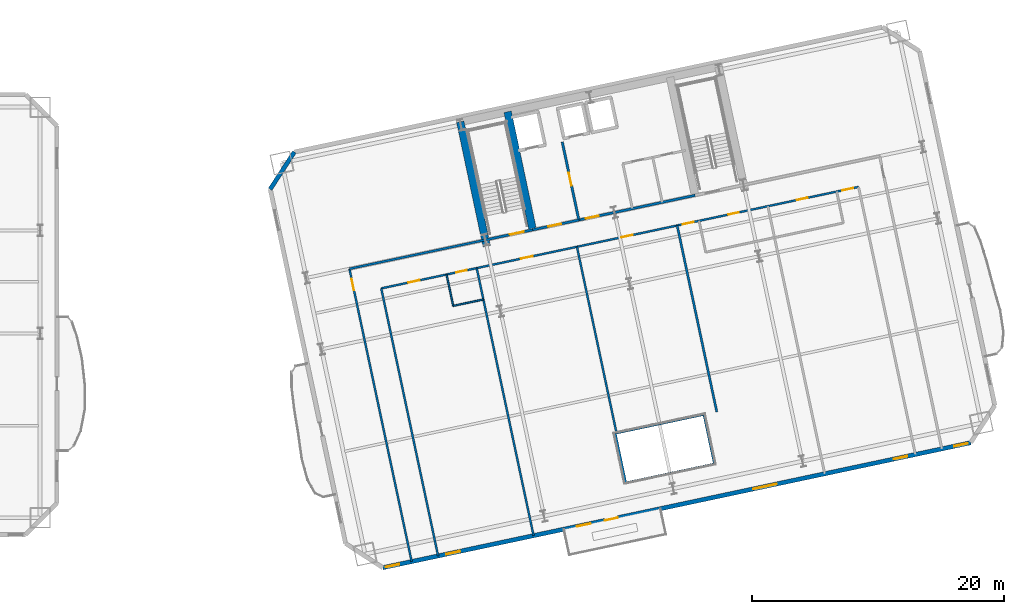
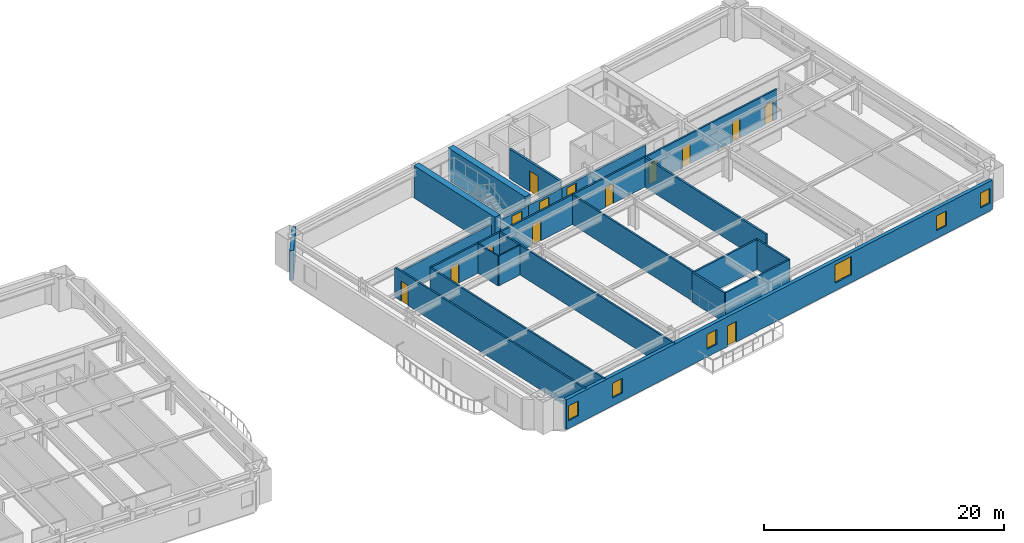
# One storey, part 8 of 17: 21 walls, 14 doors, 6 windows, 20 openings.
"""IFC4 building model written with IfcOpenShell, lengths in metres."""

from ifc_helpers import new_model, si_unit, direction, frame, frame_2d, origin, place, context, subcontext, project, spatial, rectangle, extrude, material, layer, layer_set, type_object, element, fill, save


model = new_model("IFC4")

# Units and contexts
model_context = context("Model", 3, precision=1e-05, world=origin(), true_north=direction((0.0, 1.0)))
body_context = subcontext(model_context, "Body", "Model", "MODEL_VIEW")
ifc_project = project(units=[si_unit("LENGTHUNIT", "METRE"), si_unit("AREAUNIT", "SQUARE_METRE"), si_unit("VOLUMEUNIT", "CUBIC_METRE"), si_unit("PLANEANGLEUNIT", "RADIAN"), si_unit("MASSUNIT", "GRAM", prefix="KILO")], contexts=[model_context])

# Site, building, storey
site_placement = place(None, origin())
site = spatial("IfcSite", under=ifc_project, at=site_placement, CompositionType="ELEMENT")
building_placement = place(site_placement, origin())
building = spatial("IfcBuilding", under=site, at=building_placement, Name="Haevon Station Towers", CompositionType="ELEMENT")
storey_placement = place(building_placement, frame((0.0, 0.0, 33.89990234375)))
storey = spatial("IfcBuildingStorey", under=building, at=storey_placement, Name="L07", CompositionType="ELEMENT", Elevation=33.89990234375)

# Walls
ifc_material_1 = material(Name="Gypsum board on steel stud", Category="steel")
ifc_layer_1 = layer(ifc_material_1, 0.179931640625)
ifc_layer_set_1 = layer_set([ifc_layer_1], Name="Gypsum board on steel stud")
wall_type_1 = type_object("IfcWallType", Name="WL-ACU180", PredefinedType="PARTITIONING", material=ifc_layer_set_1)
wall_1_placement = place(storey_placement, frame((87.94384765625, 35.14501953125, 0.0), z_axis=(0.0, 0.0, 1.0), x_axis=(0.978148967098, 0.207905262477, 0.0)))
element("IfcWall", 1, at=wall_1_placement, inside=storey, type_object=wall_type_1, Name="WL-T2PT-L07-03", PredefinedType="PARTITIONING", context=body_context, shape_type="SweptSolid", body=[
    extrude(rectangle(XDim=11.050048828125, YDim=0.179931640625, at=frame_2d((5.52490234375, 0.0))), origin(), (0.0, 0.0, 1.0), 2.330078125),
])
wall_2_placement = place(storey_placement, frame((109.9091796875, 18.140380859375, 0.0), z_axis=(0.0, 0.0, 1.0), x_axis=(-0.207886494942, 0.978152955943, 0.0)))
element("IfcWall", 2, at=wall_2_placement, inside=storey, type_object=wall_type_1, Name="WL-T2PT-L07-09", PredefinedType="PARTITIONING", context=body_context, shape_type="SweptSolid", body=[
    extrude(rectangle(XDim=4.0, YDim=0.179931640625, at=frame_2d((2.0, 0.0))), origin(), (0.0, 0.0, 1.0), 3.030029296875),
])
wall_3_placement = place(storey_placement, frame((117.1533203125, 23.769287109375, 0.0), z_axis=(0.0, 0.0, 1.0), x_axis=(-0.207912142001, 0.978147504832, 0.0)))
element("IfcWall", 3, at=wall_3_placement, inside=storey, type_object=wall_type_1, Name="WL-T2PT-L07-15", PredefinedType="PARTITIONING", context=body_context, shape_type="SweptSolid", body=[
    extrude(rectangle(XDim=15.150146484375, YDim=0.179931640625, at=frame_2d((7.5751953125, 0.0))), origin(), (0.0, 0.0, 1.0), 3.030029296875),
])

# Wall, opening, door
ifc_layer_2 = layer(ifc_material_1, 0.199951171875)
ifc_layer_set_2 = layer_set([ifc_layer_2], Name="Gypsum board on steel stud")
wall_type_2 = type_object("IfcWallType", Name="WL-COR200", PredefinedType="PARTITIONING", material=ifc_layer_set_2)
wall_4_placement = place(storey_placement, frame((98.75244140625, 37.4423828125, 0.0), z_axis=(0.0, 0.0, 1.0), x_axis=(0.978143537786, 0.207930804564, 0.0)))
wall_4 = element("IfcWall", 4, at=wall_4_placement, inside=storey, type_object=wall_type_2, Name="WL-ST-ST3-L07", PredefinedType="PARTITIONING", context=body_context, shape_type="SweptSolid", body=[
    extrude(rectangle(XDim=3.85009765625, YDim=0.199951171875, at=frame_2d((1.925048828125, 0.0))), origin(), (0.0, 0.0, 1.0), 2.330078125),
])
opening_1_placement = place(wall_4_placement, frame((2.0, 0.0, 0.0)))
opening_1 = element("IfcOpeningElement", 5, at=opening_1_placement, cuts=wall_4, Name="Opening DR-ST-ST3-L07", PredefinedType="OPENING", context=body_context, shape_type="SweptSolid", body=[
    extrude(rectangle(XDim=1.1201171875, YDim=2.10009765625, at=frame_2d((0.56005859375, 1.050048828125))), frame((0.0, 0.10986328125, 0.0), z_axis=(0.0, -1.0, 0.0), x_axis=(1.0, 0.0, 0.0)), (0.0, 0.0, 1.0), 0.219970703125),
])
ifc_material_2 = material(Name="Engineered oak timber", Category="wood")
door_type_1 = type_object("IfcDoorType", Name="DR-ST-1120", OperationType="NOTDEFINED", PredefinedType="DOOR", material=ifc_material_2)
door_1_placement = place(opening_1_placement, origin())
door_1 = element("IfcDoor", 6, at=door_1_placement, inside=storey, type_object=door_type_1, Name="L07 Escape Stair ST3 Fire Door", OperationType="SINGLE_SWING_RIGHT", OverallHeight=2.10009765625, OverallWidth=1.1201171875, PredefinedType="DOOR", context=body_context, shape_type="SweptSolid", body=[
    extrude(rectangle(XDim=1.1201171875, YDim=2.10009765625, at=frame_2d((0.56005859375, 1.050048828125))), frame((0.0, 0.02490234375, 0.0), z_axis=(0.0, -1.0, 0.0), x_axis=(1.0, 0.0, 0.0)), (0.0, 0.0, 1.0), 0.050048828125),
])
fill(opening_1, door_1)

wall_5_placement = place(storey_placement, frame((106.186279296875, 39.0224609375, 0.0), z_axis=(0.0, 0.0, 1.0), x_axis=(-0.207916691923, 0.978146537703, 0.0)))
wall_5 = element("IfcWall", 7, at=wall_5_placement, inside=storey, type_object=wall_type_2, Name="WL-T2FFL-L07-E", PredefinedType="PARTITIONING", context=body_context, shape_type="SweptSolid", body=[
    extrude(rectangle(XDim=6.35009765625, YDim=0.199951171875, at=frame_2d((3.175048828125, 0.0))), origin(), (0.0, 0.0, 1.0), 3.030029296875),
])
opening_2_placement = place(wall_5_placement, frame((2.800048828125, 0.0, 0.0)))
opening_2 = element("IfcOpeningElement", 8, at=opening_2_placement, cuts=wall_5, Name="Opening DR-T2FFL-L07-E", PredefinedType="OPENING", context=body_context, shape_type="SweptSolid", body=[
    extrude(rectangle(XDim=1.050048828125, YDim=2.10009765625, at=frame_2d((0.52490234375, 1.050048828125))), frame((0.0, 0.10986328125, 0.0), z_axis=(0.0, -1.0, 0.0), x_axis=(1.0, 0.0, 0.0)), (0.0, 0.0, 1.0), 0.219970703125),
])
door_type_2 = type_object("IfcDoorType", Name="DR-FD60-1050", OperationType="NOTDEFINED", PredefinedType="DOOR", material=ifc_material_2)
door_2_placement = place(opening_2_placement, origin())
door_2 = element("IfcDoor", 9, at=door_2_placement, inside=storey, type_object=door_type_2, Name="L07 Tower 2 Firefighting Lift Lobby Door E", OperationType="SINGLE_SWING_RIGHT", OverallHeight=2.10009765625, OverallWidth=1.050048828125, PredefinedType="DOOR", context=body_context, shape_type="SweptSolid", body=[
    extrude(rectangle(XDim=1.050048828125, YDim=2.10009765625, at=frame_2d((0.52490234375, 1.050048828125))), frame((0.0, 0.02490234375, 0.0), z_axis=(0.0, -1.0, 0.0), x_axis=(1.0, 0.0, 0.0)), (0.0, 0.0, 1.0), 0.050048828125),
])
fill(opening_2, door_2)

wall_6_placement = place(storey_placement, frame((102.518310546875, 38.242919921875, 0.0), z_axis=(0.0, 0.0, 1.0), x_axis=(0.978153555683, 0.20788367301, 0.0)))
wall_6 = element("IfcWall", 10, at=wall_6_placement, inside=storey, type_object=wall_type_2, Name="WL-T2FFL-L07-S", PredefinedType="PARTITIONING", context=body_context, shape_type="SweptSolid", body=[
    extrude(rectangle(XDim=3.75, YDim=0.199951171875, at=frame_2d((1.875, 0.0))), origin(), (0.0, 0.0, 1.0), 2.330078125),
])
opening_3_placement = place(wall_6_placement, frame((1.25, 0.0, 0.0)))
opening_3 = element("IfcOpeningElement", 11, at=opening_3_placement, cuts=wall_6, Name="Opening DR-T2FFL-L07-S", PredefinedType="OPENING", context=body_context, shape_type="SweptSolid", body=[
    extrude(rectangle(XDim=1.050048828125, YDim=2.10009765625, at=frame_2d((0.52490234375, 1.050048828125))), frame((0.0, 0.10986328125, 0.0), z_axis=(0.0, -1.0, 0.0), x_axis=(1.0, 0.0, 0.0)), (0.0, 0.0, 1.0), 0.219970703125),
])
door_3_placement = place(opening_3_placement, origin())
door_3 = element("IfcDoor", 12, at=door_3_placement, inside=storey, type_object=door_type_2, Name="L07 Tower 2 Firefighting Lift Lobby Door S", OperationType="SINGLE_SWING_LEFT", OverallHeight=2.10009765625, OverallWidth=1.050048828125, PredefinedType="DOOR", context=body_context, shape_type="SweptSolid", body=[
    extrude(rectangle(XDim=1.050048828125, YDim=2.10009765625, at=frame_2d((0.52490234375, 1.050048828125))), frame((0.0, 0.02490234375, 0.0), z_axis=(0.0, -1.0, 0.0), x_axis=(1.0, 0.0, 0.0)), (0.0, 0.0, 1.0), 0.050048828125),
])
fill(opening_3, door_3)

wall_7_placement = place(storey_placement, frame((106.186279296875, 39.0224609375, 0.0), z_axis=(0.0, 0.0, 1.0), x_axis=(0.978145519981, 0.20792147975, 0.0)))
wall_7 = element("IfcWall", 13, at=wall_7_placement, inside=storey, type_object=wall_type_2, Name="WL-T2CLB-L07", PredefinedType="PARTITIONING", context=body_context, shape_type="SweptSolid", body=[
    extrude(rectangle(XDim=9.449951171875, YDim=0.199951171875, at=frame_2d((4.72509765625, 0.0))), origin(), (0.0, 0.0, 1.0), 2.330078125),
])
opening_4_placement = place(wall_7_placement, frame((0.550048828125, 0.0, 0.0)))
opening_4 = element("IfcOpeningElement", 14, at=opening_4_placement, cuts=wall_7, Name="Opening DR-T2CLB-L07-1", PredefinedType="OPENING", context=body_context, shape_type="SweptSolid", body=[
    extrude(rectangle(XDim=1.050048828125, YDim=2.10009765625, at=frame_2d((0.52490234375, 1.050048828125))), frame((0.0, 0.10986328125, 0.0), z_axis=(0.0, -1.0, 0.0), x_axis=(1.0, 0.0, 0.0)), (0.0, 0.0, 1.0), 0.219970703125),
])
door_4_placement = place(opening_4_placement, origin())
door_4 = element("IfcDoor", 15, at=door_4_placement, inside=storey, type_object=door_type_2, Name="L07 Tower 2 Core Lift Lobby Door 1", OperationType="SINGLE_SWING_RIGHT", OverallHeight=2.10009765625, OverallWidth=1.050048828125, PredefinedType="DOOR", context=body_context, shape_type="SweptSolid", body=[
    extrude(rectangle(XDim=1.050048828125, YDim=2.10009765625, at=frame_2d((0.52490234375, 1.050048828125))), frame((0.0, 0.02490234375, 0.0), z_axis=(0.0, -1.0, 0.0), x_axis=(1.0, 0.0, 0.0)), (0.0, 0.0, 1.0), 0.050048828125),
])
fill(opening_4, door_4)

# Walls
ifc_material_3 = material(Name="Concrete C60/75", Category="concrete")
ifc_layer_3 = layer(ifc_material_3, 0.60009765625)
ifc_layer_set_3 = layer_set([ifc_layer_3], Name="Concrete C60/75")
wall_type_3 = type_object("IfcWallType", Name="WL-CR600", PredefinedType="SHEAR", material=ifc_layer_set_3)
wall_8_placement = place(storey_placement, frame((98.8603515625, 36.933837890625, 0.0), z_axis=(0.0, 0.0, 1.0), x_axis=(-0.20790924889, 0.978148119778, 0.0)))
element("IfcWall", 16, at=wall_8_placement, inside=storey, type_object=wall_type_3, Name="WL-T2CR-L07-W", PredefinedType="SHEAR", context=body_context, shape_type="SweptSolid", body=[
    extrude(rectangle(XDim=10.119873046875, YDim=0.60009765625, at=frame_2d((5.06005859375, 0.0))), origin(), (0.0, 0.0, 1.0), 3.300048828125),
])
wall_9_placement = place(storey_placement, frame((102.518310546875, 38.242919921875, 0.0), z_axis=(0.0, 0.0, 1.0), x_axis=(-0.207927495108, 0.978144241295, 0.0)))
element("IfcWall", 17, at=wall_9_placement, inside=storey, type_object=wall_type_3, Name="WL-T2CR-L07-M1", PredefinedType="SHEAR", context=body_context, shape_type="SweptSolid", body=[
    extrude(rectangle(XDim=9.599853515625, YDim=0.60009765625, at=frame_2d((4.7998046875, 0.0))), origin(), (0.0, 0.0, 1.0), 3.300048828125),
])

# Wall, openings, door, windows
ifc_material_4 = material(Name="Precast concrete C45/55", Category="concrete")
ifc_layer_4 = layer(ifc_material_4, 0.340087890625)
ifc_layer_set_4 = layer_set([ifc_layer_4], Name="Precast concrete C45/55")
wall_type_4 = type_object("IfcWallType", Name="WL-EXT-PIER340", PredefinedType="SOLIDWALL", material=ifc_layer_set_4)
wall_10_placement = place(storey_placement, frame((137.348876953125, 21.314697265625, 0.0), z_axis=(0.0, 0.0, 1.0), x_axis=(-0.97814729652, -0.207913122027, 0.0)))
wall_10 = element("IfcWall", 18, at=wall_10_placement, inside=storey, type_object=wall_type_4, Name="WL-T2-L07-S", PredefinedType="SOLIDWALL", context=body_context, shape_type="SweptSolid", body=[
    extrude(rectangle(XDim=47.800048828125, YDim=0.340087890625, at=frame_2d((23.89990234375, 0.0))), origin(), (0.0, 0.0, 1.0), 3.030029296875),
])
opening_5_placement = place(wall_10_placement, frame((28.694091796875, 0.0, 0.0)))
opening_5 = element("IfcOpeningElement", 19, at=opening_5_placement, cuts=wall_10, Name="Opening DR-T2-PBAND-L07-1", PredefinedType="OPENING", context=body_context, shape_type="SweptSolid", body=[
    extrude(rectangle(XDim=1.050048828125, YDim=2.10009765625, at=frame_2d((0.52490234375, 1.050048828125))), frame((0.0, 0.179931640625, 0.0), z_axis=(0.0, -1.0, 0.0), x_axis=(1.0, 0.0, 0.0)), (0.0, 0.0, 1.0), 0.360107421875),
])
opening_6_placement = place(wall_10_placement, frame((46.449951171875, 0.0, 0.800048828125)))
opening_6 = element("IfcOpeningElement", 20, at=opening_6_placement, cuts=wall_10, Name="Opening WN-COR110", PredefinedType="OPENING", context=body_context, shape_type="SweptSolid", body=[
    extrude(rectangle(XDim=1.10009765625, YDim=1.5, at=frame_2d((0.550048828125, 0.75))), frame((0.0, 0.179931640625, 0.0), z_axis=(0.0, -1.0, 0.0), x_axis=(1.0, 0.0, 0.0)), (0.0, 0.0, 1.0), 0.360107421875),
])
opening_7_placement = place(wall_10_placement, frame((0.25, 0.0, 0.800048828125)))
opening_7 = element("IfcOpeningElement", 21, at=opening_7_placement, cuts=wall_10, Name="Opening WN-COR110", PredefinedType="OPENING", context=body_context, shape_type="SweptSolid", body=[
    extrude(rectangle(XDim=1.10009765625, YDim=1.5, at=frame_2d((0.550048828125, 0.75))), frame((0.0, 0.179931640625, 0.0), z_axis=(0.0, -1.0, 0.0), x_axis=(1.0, 0.0, 0.0)), (0.0, 0.0, 1.0), 0.360107421875),
])
opening_8_placement = place(wall_10_placement, frame((41.52490234375, 0.0, 0.800048828125)))
opening_8 = element("IfcOpeningElement", 22, at=opening_8_placement, cuts=wall_10, Name="Opening WN-COR110", PredefinedType="OPENING", context=body_context, shape_type="SweptSolid", body=[
    extrude(rectangle(XDim=1.10009765625, YDim=1.5, at=frame_2d((0.550048828125, 0.75))), frame((0.0, 0.179931640625, 0.0), z_axis=(0.0, -1.0, 0.0), x_axis=(1.0, 0.0, 0.0)), (0.0, 0.0, 1.0), 0.360107421875),
])
opening_9_placement = place(wall_10_placement, frame((30.916015625, 0.0, 0.800048828125)))
opening_9 = element("IfcOpeningElement", 23, at=opening_9_placement, cuts=wall_10, Name="Opening WN-COR110", PredefinedType="OPENING", context=body_context, shape_type="SweptSolid", body=[
    extrude(rectangle(XDim=1.10009765625, YDim=1.5, at=frame_2d((0.550048828125, 0.75))), frame((0.0, 0.179931640625, 0.0), z_axis=(0.0, -1.0, 0.0), x_axis=(1.0, 0.0, 0.0)), (0.0, 0.0, 1.0), 0.360107421875),
])
opening_10_placement = place(wall_10_placement, frame((15.785888671875, 0.0, 0.800048828125)))
opening_10 = element("IfcOpeningElement", 24, at=opening_10_placement, cuts=wall_10, Name="Opening WN-P190", PredefinedType="OPENING", context=body_context, shape_type="SweptSolid", body=[
    extrude(rectangle(XDim=1.89990234375, YDim=1.85009765625, at=frame_2d((0.949951171875, 0.925048828125))), frame((0.0, 0.179931640625, 0.0), z_axis=(0.0, -1.0, 0.0), x_axis=(1.0, 0.0, 0.0)), (0.0, 0.0, 1.0), 0.360107421875),
])
opening_11_placement = place(wall_10_placement, frame((5.155517578125, 0.0, 0.800048828125)))
opening_11 = element("IfcOpeningElement", 25, at=opening_11_placement, cuts=wall_10, Name="Opening WN-COR110", PredefinedType="OPENING", context=body_context, shape_type="SweptSolid", body=[
    extrude(rectangle(XDim=1.10009765625, YDim=1.5, at=frame_2d((0.550048828125, 0.75))), frame((0.0, 0.179931640625, 0.0), z_axis=(0.0, -1.0, 0.0), x_axis=(1.0, 0.0, 0.0)), (0.0, 0.0, 1.0), 0.360107421875),
])
ifc_material_5 = material(Name="Thermally broken anodised aluminium and laminated safety glass", Category="aluminium")
door_type_3 = type_object("IfcDoorType", Name="DR-BALC-1050", OperationType="NOTDEFINED", PredefinedType="DOOR", material=ifc_material_5)
door_5_placement = place(opening_5_placement, origin())
door_5 = element("IfcDoor", 26, at=door_5_placement, inside=storey, type_object=door_type_3, Name="Tower 2 L07 Balcony Terrace Door", OperationType="SINGLE_SWING_LEFT", OverallHeight=2.10009765625, OverallWidth=1.050048828125, PredefinedType="DOOR", context=body_context, shape_type="SweptSolid", body=[
    extrude(rectangle(XDim=1.050048828125, YDim=2.10009765625, at=frame_2d((0.52490234375, 1.050048828125))), frame((0.0, 0.02490234375, 0.0), z_axis=(0.0, -1.0, 0.0), x_axis=(1.0, 0.0, 0.0)), (0.0, 0.0, 1.0), 0.050048828125),
])
fill(opening_5, door_5)
ifc_material_6 = material(Name="Low-E triple glazing in thermally broken aluminium", Category="aluminium")
window_type_1 = type_object("IfcWindowType", Name="WN-COR110", PartitioningType="SINGLE_PANEL", PredefinedType="WINDOW", material=ifc_material_6)
window_1_placement = place(opening_6_placement, origin())
window_1 = element("IfcWindow", 27, at=window_1_placement, inside=storey, type_object=window_type_1, Name="WN-T2-L07-S01", OverallHeight=1.5, OverallWidth=1.10009765625, PartitioningType="SINGLE_PANEL", PredefinedType="WINDOW", context=body_context, shape_type="SweptSolid", body=[
    extrude(rectangle(XDim=1.10009765625, YDim=1.5, at=frame_2d((0.550048828125, 0.75))), frame((0.0, 0.030029296875, 0.0), z_axis=(0.0, -1.0, 0.0), x_axis=(1.0, 0.0, 0.0)), (0.0, 0.0, 1.0), 0.06005859375),
])
fill(opening_6, window_1)
window_2_placement = place(opening_7_placement, origin())
window_2 = element("IfcWindow", 28, at=window_2_placement, inside=storey, type_object=window_type_1, Name="WN-T2-L07-S02", OverallHeight=1.5, OverallWidth=1.10009765625, PartitioningType="SINGLE_PANEL", PredefinedType="WINDOW", context=body_context, shape_type="SweptSolid", body=[
    extrude(rectangle(XDim=1.10009765625, YDim=1.5, at=frame_2d((0.550048828125, 0.75))), frame((0.0, 0.030029296875, 0.0), z_axis=(0.0, -1.0, 0.0), x_axis=(1.0, 0.0, 0.0)), (0.0, 0.0, 1.0), 0.06005859375),
])
fill(opening_7, window_2)
window_3_placement = place(opening_8_placement, origin())
window_3 = element("IfcWindow", 29, at=window_3_placement, inside=storey, type_object=window_type_1, Name="WN-T2-L07-S03", OverallHeight=1.5, OverallWidth=1.10009765625, PartitioningType="SINGLE_PANEL", PredefinedType="WINDOW", context=body_context, shape_type="SweptSolid", body=[
    extrude(rectangle(XDim=1.10009765625, YDim=1.5, at=frame_2d((0.550048828125, 0.75))), frame((0.0, 0.030029296875, 0.0), z_axis=(0.0, -1.0, 0.0), x_axis=(1.0, 0.0, 0.0)), (0.0, 0.0, 1.0), 0.06005859375),
])
fill(opening_8, window_3)
window_4_placement = place(opening_9_placement, origin())
window_4 = element("IfcWindow", 30, at=window_4_placement, inside=storey, type_object=window_type_1, Name="WN-T2-L07-S04", OverallHeight=1.5, OverallWidth=1.10009765625, PartitioningType="SINGLE_PANEL", PredefinedType="WINDOW", context=body_context, shape_type="SweptSolid", body=[
    extrude(rectangle(XDim=1.10009765625, YDim=1.5, at=frame_2d((0.550048828125, 0.75))), frame((0.0, 0.030029296875, 0.0), z_axis=(0.0, -1.0, 0.0), x_axis=(1.0, 0.0, 0.0)), (0.0, 0.0, 1.0), 0.06005859375),
])
fill(opening_9, window_4)
window_5_placement = place(opening_11_placement, origin())
window_5 = element("IfcWindow", 31, at=window_5_placement, inside=storey, type_object=window_type_1, Name="WN-T2-L07-S06", OverallHeight=1.5, OverallWidth=1.10009765625, PartitioningType="SINGLE_PANEL", PredefinedType="WINDOW", context=body_context, shape_type="SweptSolid", body=[
    extrude(rectangle(XDim=1.10009765625, YDim=1.5, at=frame_2d((0.550048828125, 0.75))), frame((0.0, 0.030029296875, 0.0), z_axis=(0.0, -1.0, 0.0), x_axis=(1.0, 0.0, 0.0)), (0.0, 0.0, 1.0), 0.06005859375),
])
fill(opening_11, window_5)
window_type_2 = type_object("IfcWindowType", Name="WN-P190", PartitioningType="SINGLE_PANEL", PredefinedType="WINDOW", material=ifc_material_6)
window_6_placement = place(opening_10_placement, origin())
window_6 = element("IfcWindow", 32, at=window_6_placement, inside=storey, type_object=window_type_2, Name="WN-T2-L07-S05", OverallHeight=1.85009765625, OverallWidth=1.89990234375, PartitioningType="SINGLE_PANEL", PredefinedType="WINDOW", context=body_context, shape_type="SweptSolid", body=[
    extrude(rectangle(XDim=1.89990234375, YDim=1.85009765625, at=frame_2d((0.949951171875, 0.925048828125))), frame((0.0, 0.030029296875, 0.0), z_axis=(0.0, -1.0, 0.0), x_axis=(1.0, 0.0, 0.0)), (0.0, 0.0, 1.0), 0.06005859375),
])
fill(opening_10, window_6)

# Walls
wall_11_placement = place(storey_placement, frame((81.640380859375, 41.47265625, 0.0), z_axis=(0.0, 0.0, 1.0), x_axis=(0.544653380146, 0.838661251934, 0.0)))
element("IfcWall", 33, at=wall_11_placement, inside=storey, type_object=wall_type_4, Name="WL-T2-L07-NWC", PredefinedType="SOLIDWALL", context=body_context, shape_type="SweptSolid", body=[
    extrude(rectangle(XDim=3.535888671875, YDim=0.340087890625, at=frame_2d((1.76806640625, 0.0))), origin(), (0.0, 0.0, 1.0), 3.030029296875),
])
ifc_layer_5 = layer(ifc_material_1, 0.125)
ifc_layer_set_5 = layer_set([ifc_layer_5], Name="Gypsum board on steel stud")
wall_type_5 = type_object("IfcWallType", Name="WL-PRT125", PredefinedType="PARTITIONING", material=ifc_layer_set_5)
wall_12_placement = place(storey_placement, frame((96.197265625, 32.196533203125, 0.0), z_axis=(0.0, 0.0, 1.0), x_axis=(0.978156824814, 0.207868290196, 0.0)))
element("IfcWall", 34, at=wall_12_placement, inside=storey, type_object=wall_type_5, Name="WL-T2PT-L07-11", PredefinedType="PARTITIONING", context=body_context, shape_type="SweptSolid", body=[
    extrude(rectangle(XDim=2.449951171875, YDim=0.125, at=frame_2d((1.22509765625, 0.0))), origin(), (0.0, 0.0, 1.0), 3.030029296875),
])
wall_13_placement = place(storey_placement, frame((96.197265625, 32.196533203125, 0.0), z_axis=(0.0, 0.0, 1.0), x_axis=(-0.207940050407, 0.978141572287, 0.0)))
element("IfcWall", 35, at=wall_13_placement, inside=storey, type_object=wall_type_5, Name="WL-T2PT-L07-12", PredefinedType="PARTITIONING", context=body_context, shape_type="SweptSolid", body=[
    extrude(rectangle(XDim=2.550048828125, YDim=0.125, at=frame_2d((1.27490234375, 0.0))), origin(), (0.0, 0.0, 1.0), 3.030029296875),
])
ifc_layer_6 = layer(ifc_material_1, 0.159912109375)
ifc_layer_set_6 = layer_set([ifc_layer_6], Name="Gypsum board on steel stud")
wall_type_6 = type_object("IfcWallType", Name="WL-PRT160", PredefinedType="PARTITIONING", material=ifc_layer_set_6)
wall_14_placement = place(storey_placement, frame((94.9951171875, 12.31201171875, 0.0), z_axis=(0.0, 0.0, 1.0), x_axis=(-0.207905205228, 0.978148979266, 0.0)))
element("IfcWall", 36, at=wall_14_placement, inside=storey, type_object=wall_type_6, Name="WL-T2PT-L07-01", PredefinedType="PARTITIONING", context=body_context, shape_type="SweptSolid", body=[
    extrude(rectangle(XDim=21.750244140625, YDim=0.159912109375, at=frame_2d((10.875, 0.0))), origin(), (0.0, 0.0, 1.0), 3.030029296875),
])

# Wall, opening, door
wall_15_placement = place(storey_placement, frame((92.89208984375, 11.864990234375, 0.0), z_axis=(0.0, 0.0, 1.0), x_axis=(-0.207908442811, 0.978148291113, 0.0)))
wall_15 = element("IfcWall", 37, at=wall_15_placement, inside=storey, type_object=wall_type_6, Name="WL-T2PT-L07-05", PredefinedType="PARTITIONING", context=body_context, shape_type="SweptSolid", body=[
    extrude(rectangle(XDim=23.800048828125, YDim=0.159912109375, at=frame_2d((11.89990234375, 0.0))), origin(), (0.0, 0.0, 1.0), 3.030029296875),
])
opening_12_placement = place(wall_15_placement, frame((22.070068359375, 0.0, 0.0)))
opening_12 = element("IfcOpeningElement", 38, at=opening_12_placement, cuts=wall_15, Name="Opening DR-WL-T2PT-L07-05-01", PredefinedType="OPENING", context=body_context, shape_type="SweptSolid", body=[
    extrude(rectangle(XDim=0.89990234375, YDim=2.050048828125, at=frame_2d((0.449951171875, 1.02490234375))), frame((0.0, 0.08984375, 0.0), z_axis=(0.0, -1.0, 0.0), x_axis=(1.0, 0.0, 0.0)), (0.0, 0.0, 1.0), 0.179931640625),
])
door_type_4 = type_object("IfcDoorType", Name="DR-INT-900", OperationType="NOTDEFINED", PredefinedType="DOOR", material=ifc_material_2)
door_6_placement = place(opening_12_placement, origin())
door_6 = element("IfcDoor", 39, at=door_6_placement, inside=storey, type_object=door_type_4, Name="L07 Tower 2 Room Door 5-1", OperationType="SINGLE_SWING_RIGHT", OverallHeight=2.050048828125, OverallWidth=0.89990234375, PredefinedType="DOOR", context=body_context, shape_type="SweptSolid", body=[
    extrude(rectangle(XDim=0.89990234375, YDim=2.050048828125, at=frame_2d((0.449951171875, 1.02490234375))), frame((0.0, 0.02490234375, 0.0), z_axis=(0.0, -1.0, 0.0), x_axis=(1.0, 0.0, 0.0)), (0.0, 0.0, 1.0), 0.050048828125),
])
fill(opening_12, door_6)

# Walls
for number, where, z_axis, x_axis, name in (
    (40, (109.9091796875, 18.140380859375, 0.0), (0.0, 0.0, 1.0), (0.978151869997, 0.207891604498, 0.0), "WL-T2PT-L07-07"),
    (41, (109.07763671875, 22.052978515625, 0.0), (0.0, 0.0, 1.0), (0.978151869997, 0.207891604498, 0.0), "WL-T2PT-L07-08"),
):
    element("IfcWall", number, at=place(storey_placement, frame(where, z_axis=z_axis, x_axis=x_axis)), inside=storey, type_object=wall_type_6, Name=name, PredefinedType="PARTITIONING", context=body_context, shape_type="SweptSolid", body=[
        extrude(rectangle(XDim=7.199951171875, YDim=0.159912109375, at=frame_2d((3.60009765625, 0.0))), origin(), (0.0, 0.0, 1.0), 3.030029296875),
    ])
wall_16_placement = place(storey_placement, frame((116.951904296875, 19.63720703125, 0.0), z_axis=(0.0, 0.0, 1.0), x_axis=(-0.207886494942, 0.978152955943, 0.0)))
element("IfcWall", 42, at=wall_16_placement, inside=storey, type_object=wall_type_6, Name="WL-T2PT-L07-10", PredefinedType="PARTITIONING", context=body_context, shape_type="SweptSolid", body=[
    extrude(rectangle(XDim=4.0, YDim=0.159912109375, at=frame_2d((2.0, 0.0))), origin(), (0.0, 0.0, 1.0), 3.030029296875),
])
wall_17_placement = place(storey_placement, frame((102.58544921875, 13.925537109375, 0.0), z_axis=(0.0, 0.0, 1.0), x_axis=(-0.207907487947, 0.978148494072, 0.0)))
element("IfcWall", 43, at=wall_17_placement, inside=storey, type_object=wall_type_6, Name="WL-T2PT-L07-13", PredefinedType="PARTITIONING", context=body_context, shape_type="SweptSolid", body=[
    extrude(rectangle(XDim=21.75, YDim=0.159912109375, at=frame_2d((10.875, 0.0))), origin(), (0.0, 0.0, 1.0), 3.030029296875),
])
wall_18_placement = place(storey_placement, frame((109.183349609375, 22.0751953125, 0.0), z_axis=(0.0, 0.0, 1.0), x_axis=(-0.207912142001, 0.978147504832, 0.0)))
element("IfcWall", 44, at=wall_18_placement, inside=storey, type_object=wall_type_6, Name="WL-T2PT-L07-14", PredefinedType="PARTITIONING", context=body_context, shape_type="SweptSolid", body=[
    extrude(rectangle(XDim=15.150146484375, YDim=0.159912109375, at=frame_2d((7.5751953125, 0.0))), origin(), (0.0, 0.0, 1.0), 3.030029296875),
])

# Wall, openings, doors
wall_19_placement = place(storey_placement, frame((90.47314453125, 33.5869140625, 0.0), z_axis=(0.0, 0.0, 1.0), x_axis=(0.978148039172, 0.207909628119, 0.0)))
wall_19 = element("IfcWall", 45, at=wall_19_placement, inside=storey, type_object=wall_type_6, Name="WL-T2PT-L07-22", PredefinedType="PARTITIONING", context=body_context, shape_type="SweptSolid", body=[
    extrude(rectangle(XDim=38.800048828125, YDim=0.159912109375, at=frame_2d((19.39990234375, 0.0))), origin(), (0.0, 0.0, 1.0), 3.030029296875),
])
opening_13_placement = place(wall_19_placement, frame((6.110107421875, 0.0, 0.0)))
opening_13 = element("IfcOpeningElement", 46, at=opening_13_placement, cuts=wall_19, Name="Opening DR-WL-T2PT-L07-22-01", PredefinedType="OPENING", context=body_context, shape_type="SweptSolid", body=[
    extrude(rectangle(XDim=0.85009765625, YDim=2.050048828125, at=frame_2d((0.425048828125, 1.02490234375))), frame((0.0, 0.08984375, 0.0), z_axis=(0.0, -1.0, 0.0), x_axis=(1.0, 0.0, 0.0)), (0.0, 0.0, 1.0), 0.179931640625),
])
opening_14_placement = place(wall_19_placement, frame((2.205078125, 0.0, 0.0)))
opening_14 = element("IfcOpeningElement", 47, at=opening_14_placement, cuts=wall_19, Name="Opening DR-WL-T2PT-L07-22-02", PredefinedType="OPENING", context=body_context, shape_type="SweptSolid", body=[
    extrude(rectangle(XDim=0.89990234375, YDim=2.050048828125, at=frame_2d((0.449951171875, 1.02490234375))), frame((0.0, 0.08984375, 0.0), z_axis=(0.0, -1.0, 0.0), x_axis=(1.0, 0.0, 0.0)), (0.0, 0.0, 1.0), 0.179931640625),
])
opening_15_placement = place(wall_19_placement, frame((11.35888671875, 0.0, 0.0)))
opening_15 = element("IfcOpeningElement", 48, at=opening_15_placement, cuts=wall_19, Name="Opening DR-WL-T2PT-L07-22-03", PredefinedType="OPENING", context=body_context, shape_type="SweptSolid", body=[
    extrude(rectangle(XDim=0.949951171875, YDim=2.10009765625, at=frame_2d((0.47509765625, 1.050048828125))), frame((0.0, 0.08984375, 0.0), z_axis=(0.0, -1.0, 0.0), x_axis=(1.0, 0.0, 0.0)), (0.0, 0.0, 1.0), 0.179931640625),
])
opening_16_placement = place(wall_19_placement, frame((19.531982421875, 0.0, 0.0)))
opening_16 = element("IfcOpeningElement", 49, at=opening_16_placement, cuts=wall_19, Name="Opening DR-WL-T2PT-L07-22-04", PredefinedType="OPENING", context=body_context, shape_type="SweptSolid", body=[
    extrude(rectangle(XDim=0.89990234375, YDim=2.050048828125, at=frame_2d((0.449951171875, 1.02490234375))), frame((0.0, 0.08984375, 0.0), z_axis=(0.0, -1.0, 0.0), x_axis=(1.0, 0.0, 0.0)), (0.0, 0.0, 1.0), 0.179931640625),
])
opening_17_placement = place(wall_19_placement, frame((28.20703125, 0.0, 0.0)))
opening_17 = element("IfcOpeningElement", 50, at=opening_17_placement, cuts=wall_19, Name="Opening DR-WL-T2PT-L07-22-05", PredefinedType="OPENING", context=body_context, shape_type="SweptSolid", body=[
    extrude(rectangle(XDim=0.85009765625, YDim=2.050048828125, at=frame_2d((0.425048828125, 1.02490234375))), frame((0.0, 0.08984375, 0.0), z_axis=(0.0, -1.0, 0.0), x_axis=(1.0, 0.0, 0.0)), (0.0, 0.0, 1.0), 0.179931640625),
])
opening_18_placement = place(wall_19_placement, frame((24.49609375, 0.0, 0.0)))
opening_18 = element("IfcOpeningElement", 51, at=opening_18_placement, cuts=wall_19, Name="Opening DR-WL-T2PT-L07-22-06", PredefinedType="OPENING", context=body_context, shape_type="SweptSolid", body=[
    extrude(rectangle(XDim=0.89990234375, YDim=2.050048828125, at=frame_2d((0.449951171875, 1.02490234375))), frame((0.0, 0.08984375, 0.0), z_axis=(0.0, -1.0, 0.0), x_axis=(1.0, 0.0, 0.0)), (0.0, 0.0, 1.0), 0.179931640625),
])
opening_19_placement = place(wall_19_placement, frame((33.799072265625, 0.0, 0.0)))
opening_19 = element("IfcOpeningElement", 52, at=opening_19_placement, cuts=wall_19, Name="Opening DR-WL-T2PT-L07-22-07", PredefinedType="OPENING", context=body_context, shape_type="SweptSolid", body=[
    extrude(rectangle(XDim=0.85009765625, YDim=2.050048828125, at=frame_2d((0.425048828125, 1.02490234375))), frame((0.0, 0.08984375, 0.0), z_axis=(0.0, -1.0, 0.0), x_axis=(1.0, 0.0, 0.0)), (0.0, 0.0, 1.0), 0.179931640625),
])
opening_20_placement = place(wall_19_placement, frame((37.4599609375, 0.0, 0.0)))
opening_20 = element("IfcOpeningElement", 53, at=opening_20_placement, cuts=wall_19, Name="Opening DR-WL-T2PT-L07-22-08", PredefinedType="OPENING", context=body_context, shape_type="SweptSolid", body=[
    extrude(rectangle(XDim=0.89990234375, YDim=2.050048828125, at=frame_2d((0.449951171875, 1.02490234375))), frame((0.0, 0.08984375, 0.0), z_axis=(0.0, -1.0, 0.0), x_axis=(1.0, 0.0, 0.0)), (0.0, 0.0, 1.0), 0.179931640625),
])
door_type_5 = type_object("IfcDoorType", Name="DR-FD30-850", OperationType="NOTDEFINED", PredefinedType="DOOR", material=ifc_material_2)
door_7_placement = place(opening_13_placement, origin())
door_7 = element("IfcDoor", 54, at=door_7_placement, inside=storey, type_object=door_type_5, Name="L07 Tower 2 Room Door 22-1", OperationType="SINGLE_SWING_RIGHT", OverallHeight=2.050048828125, OverallWidth=0.85009765625, PredefinedType="DOOR", context=body_context, shape_type="SweptSolid", body=[
    extrude(rectangle(XDim=0.85009765625, YDim=2.050048828125, at=frame_2d((0.425048828125, 1.02490234375))), frame((0.0, 0.02490234375, 0.0), z_axis=(0.0, -1.0, 0.0), x_axis=(1.0, 0.0, 0.0)), (0.0, 0.0, 1.0), 0.050048828125),
])
fill(opening_13, door_7)
door_8_placement = place(opening_17_placement, origin())
door_8 = element("IfcDoor", 55, at=door_8_placement, inside=storey, type_object=door_type_5, Name="L07 Tower 2 Room Door 22-5", OperationType="SINGLE_SWING_RIGHT", OverallHeight=2.050048828125, OverallWidth=0.85009765625, PredefinedType="DOOR", context=body_context, shape_type="SweptSolid", body=[
    extrude(rectangle(XDim=0.85009765625, YDim=2.050048828125, at=frame_2d((0.425048828125, 1.02490234375))), frame((0.0, 0.02490234375, 0.0), z_axis=(0.0, -1.0, 0.0), x_axis=(1.0, 0.0, 0.0)), (0.0, 0.0, 1.0), 0.050048828125),
])
fill(opening_17, door_8)
door_9_placement = place(opening_19_placement, origin())
door_9 = element("IfcDoor", 56, at=door_9_placement, inside=storey, type_object=door_type_5, Name="L07 Tower 2 Room Door 22-7", OperationType="SINGLE_SWING_RIGHT", OverallHeight=2.050048828125, OverallWidth=0.85009765625, PredefinedType="DOOR", context=body_context, shape_type="SweptSolid", body=[
    extrude(rectangle(XDim=0.85009765625, YDim=2.050048828125, at=frame_2d((0.425048828125, 1.02490234375))), frame((0.0, 0.02490234375, 0.0), z_axis=(0.0, -1.0, 0.0), x_axis=(1.0, 0.0, 0.0)), (0.0, 0.0, 1.0), 0.050048828125),
])
fill(opening_19, door_9)
door_type_6 = type_object("IfcDoorType", Name="DR-FD30-950", OperationType="NOTDEFINED", PredefinedType="DOOR", material=ifc_material_2)
door_10_placement = place(opening_15_placement, origin())
door_10 = element("IfcDoor", 57, at=door_10_placement, inside=storey, type_object=door_type_6, Name="L07 Tower 2 Room Door 22-3", OperationType="SINGLE_SWING_RIGHT", OverallHeight=2.10009765625, OverallWidth=0.949951171875, PredefinedType="DOOR", context=body_context, shape_type="SweptSolid", body=[
    extrude(rectangle(XDim=0.949951171875, YDim=2.10009765625, at=frame_2d((0.47509765625, 1.050048828125))), frame((0.0, 0.02490234375, 0.0), z_axis=(0.0, -1.0, 0.0), x_axis=(1.0, 0.0, 0.0)), (0.0, 0.0, 1.0), 0.050048828125),
])
fill(opening_15, door_10)
door_11_placement = place(opening_14_placement, origin())
door_11 = element("IfcDoor", 58, at=door_11_placement, inside=storey, type_object=door_type_4, Name="L07 Tower 2 Room Door 22-2", OperationType="SINGLE_SWING_LEFT", OverallHeight=2.050048828125, OverallWidth=0.89990234375, PredefinedType="DOOR", context=body_context, shape_type="SweptSolid", body=[
    extrude(rectangle(XDim=0.89990234375, YDim=2.050048828125, at=frame_2d((0.449951171875, 1.02490234375))), frame((0.0, 0.02490234375, 0.0), z_axis=(0.0, -1.0, 0.0), x_axis=(1.0, 0.0, 0.0)), (0.0, 0.0, 1.0), 0.050048828125),
])
fill(opening_14, door_11)
door_12_placement = place(opening_16_placement, origin())
door_12 = element("IfcDoor", 59, at=door_12_placement, inside=storey, type_object=door_type_4, Name="L07 Tower 2 Room Door 22-4", OperationType="SINGLE_SWING_LEFT", OverallHeight=2.050048828125, OverallWidth=0.89990234375, PredefinedType="DOOR", context=body_context, shape_type="SweptSolid", body=[
    extrude(rectangle(XDim=0.89990234375, YDim=2.050048828125, at=frame_2d((0.449951171875, 1.02490234375))), frame((0.0, 0.02490234375, 0.0), z_axis=(0.0, -1.0, 0.0), x_axis=(1.0, 0.0, 0.0)), (0.0, 0.0, 1.0), 0.050048828125),
])
fill(opening_16, door_12)
door_13_placement = place(opening_18_placement, origin())
door_13 = element("IfcDoor", 60, at=door_13_placement, inside=storey, type_object=door_type_4, Name="L07 Tower 2 Room Door 22-6", OperationType="SINGLE_SWING_LEFT", OverallHeight=2.050048828125, OverallWidth=0.89990234375, PredefinedType="DOOR", context=body_context, shape_type="SweptSolid", body=[
    extrude(rectangle(XDim=0.89990234375, YDim=2.050048828125, at=frame_2d((0.449951171875, 1.02490234375))), frame((0.0, 0.02490234375, 0.0), z_axis=(0.0, -1.0, 0.0), x_axis=(1.0, 0.0, 0.0)), (0.0, 0.0, 1.0), 0.050048828125),
])
fill(opening_18, door_13)
door_14_placement = place(opening_20_placement, origin())
door_14 = element("IfcDoor", 61, at=door_14_placement, inside=storey, type_object=door_type_4, Name="L07 Tower 2 Room Door 22-8", OperationType="SINGLE_SWING_LEFT", OverallHeight=2.050048828125, OverallWidth=0.89990234375, PredefinedType="DOOR", context=body_context, shape_type="SweptSolid", body=[
    extrude(rectangle(XDim=0.89990234375, YDim=2.050048828125, at=frame_2d((0.449951171875, 1.02490234375))), frame((0.0, 0.02490234375, 0.0), z_axis=(0.0, -1.0, 0.0), x_axis=(1.0, 0.0, 0.0)), (0.0, 0.0, 1.0), 0.050048828125),
])
fill(opening_20, door_14)

save(model, "model.ifc")
